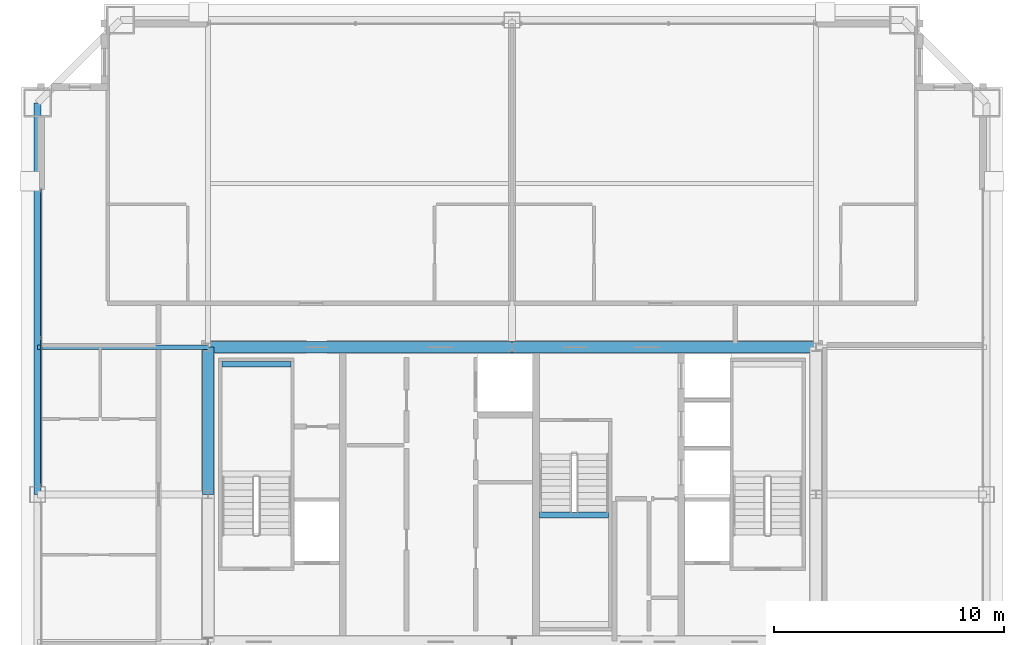
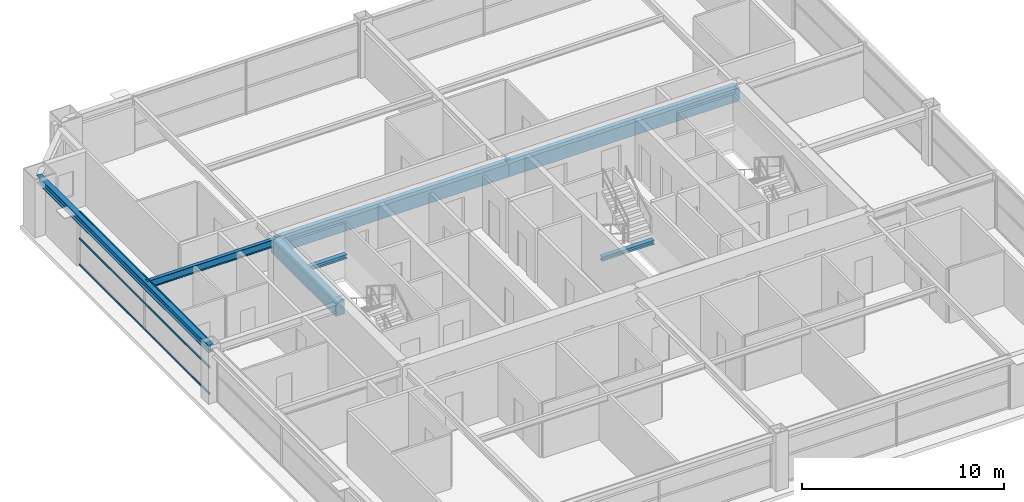
# One storey, part 15 of 37: 7 beams, 3 members, 1 element without a shape of its own.
"""IFC4 building model written with IfcOpenShell, lengths in metres."""

from ifc_helpers import new_model, si_unit, direction, frame, origin, origin_2d, place, context, subcontext, project, spatial, rectangle, hollow_rectangle, i_section, extrude, source, transform, mapped, material, layer, layer_set, material_profile, profile_set, type_object, element, aggregate, save


model = new_model("IFC4")

# Units and contexts
model_context = context("Model", 3, precision=1e-05, world=origin(), true_north=direction((0.0, 1.0)))
body_context = subcontext(model_context, "Body", "Model", "MODEL_VIEW")
ifc_project = project(units=[si_unit("LENGTHUNIT", "METRE"), si_unit("AREAUNIT", "SQUARE_METRE"), si_unit("VOLUMEUNIT", "CUBIC_METRE"), si_unit("PLANEANGLEUNIT", "RADIAN"), si_unit("MASSUNIT", "GRAM", prefix="KILO"), si_unit("THERMODYNAMICTEMPERATUREUNIT", "KELVIN"), si_unit("POWERUNIT", "WATT")], contexts=[model_context])

# Site, building, storey
site_placement = place(None, origin())
site = spatial("IfcSite", under=ifc_project, at=site_placement, CompositionType="ELEMENT")
building_placement = place(site_placement, origin())
building = spatial("IfcBuilding", under=site, at=building_placement, Name="Yuzanri Waterfront Tower", CompositionType="ELEMENT")
storey_placement = place(building_placement, frame((0.0, 0.0, 275.10009765625)))
storey = spatial("IfcBuildingStorey", under=building, at=storey_placement, Name="L73", CompositionType="ELEMENT", Elevation=275.10009765625)

# Beams
ifc_material_1 = material(Name="Concrete C50", Category="concrete")
ifc_material_profile_1 = material_profile(ifc_material_1, rectangle(XDim=0.5, YDim=0.800048828125, at=origin_2d()), Name="RC 500x800")
ifc_profile_set_1 = profile_set([ifc_material_profile_1], Name="Concrete C50")
beam_type_1 = type_object("IfcBeamType", Name="Core Coupling Lintel Concrete C50 500x800", PredefinedType="LINTEL", material=ifc_profile_set_1)
shared_shape_1 = source(origin(), body_context, "Body", "SweptSolid", [
    extrude(rectangle(XDim=0.5, YDim=0.800048828125, at=origin_2d()), origin(), (0.0, 0.0, 1.0), 13.199951171875),
])
for number, where, z_axis, x_axis, name in (
    (1, (23.800048828125, 32.199951171875, 2.8798828125), (1.0, 0.0, 0.0), (0.0, 1.0, 0.0), "L73 Core Tie Beam CN1"),
    (2, (37.0, 32.199951171875, 2.8798828125), (1.0, 0.0, 0.0), (0.0, 1.0, 0.0), "L73 Core Tie Beam CN2"),
):
    element("IfcBeam", number, at=place(storey_placement, frame(where, z_axis=z_axis, x_axis=x_axis)), inside=storey, type_object=beam_type_1, Name=name, PredefinedType="LINTEL", context=body_context, shape_type="MappedRepresentation", body=[
        mapped(shared_shape_1, transform((0.0, 0.0, 0.0), scale=1.0)),
    ])
shared_shape_2 = source(origin(), body_context, "Body", "SweptSolid", [
    extrude(rectangle(XDim=0.5, YDim=0.800048828125, at=origin_2d()), origin(), (0.0, 0.0, 1.0), 6.39990234375),
])
beam_1_placement = place(storey_placement, frame((23.800048828125, 25.800048828125, 2.8798828125), z_axis=(0.0, 1.0, 0.0), x_axis=(-1.0, 0.0, 0.0)))
element("IfcBeam", 3, at=beam_1_placement, inside=storey, type_object=beam_type_1, Name="L73 Core Tie Beam CW2", PredefinedType="LINTEL", context=body_context, shape_type="MappedRepresentation", body=[
    mapped(shared_shape_2, transform((0.0, 0.0, 0.0), scale=1.0)),
])
ifc_material_2 = material(Name="Steel Q355B", Category="steel")
ifc_material_profile_2 = material_profile(ifc_material_2, i_section(OverallWidth=0.300048828125, OverallDepth=0.43994140625, WebThickness=0.010986328125, FlangeThickness=0.01806640625, at=origin_2d()), Name="HM 440x300x11x18")
ifc_profile_set_2 = profile_set([ifc_material_profile_2], Name="Steel Q355B")
beam_type_2 = type_object("IfcBeamType", Name="Perimeter Spandrel Q355B HM 440x300", PredefinedType="SPANDREL", material=ifc_profile_set_2)
shared_shape_3 = source(origin(), body_context, "Body", "SweptSolid", [
    extrude(i_section(OverallWidth=0.300048828125, OverallDepth=0.43994140625, WebThickness=0.010986328125, FlangeThickness=0.01806640625, at=origin_2d()), origin(), (0.0, 0.0, 1.0), 17.0),
])
beam_2_placement = place(storey_placement, frame((16.39990234375, 42.800048828125, 3.059814453125), z_axis=(0.0, -1.0, 0.0), x_axis=(1.0, 0.0, 0.0)))
element("IfcBeam", 4, at=beam_2_placement, inside=storey, type_object=beam_type_2, Name="L73 Perimeter Spandrel W3-W2", PredefinedType="SPANDREL", context=body_context, shape_type="MappedRepresentation", body=[
    mapped(shared_shape_3, transform((0.0, 0.0, 0.0), scale=1.0)),
])
ifc_material_3 = material(Name="Steel Q355B", Category="steel")
ifc_material_profile_3 = material_profile(ifc_material_3, i_section(OverallWidth=0.199951171875, OverallDepth=0.449951171875, WebThickness=0.009033203125, FlangeThickness=0.013916015625, at=origin_2d()), Name="HN 450x200x9x14")
ifc_profile_set_3 = profile_set([ifc_material_profile_3], Name="Steel Q355B")
beam_type_3 = type_object("IfcBeamType", Name="Secondary Floor Beam Q355B HN 450x200", PredefinedType="BEAM", material=ifc_profile_set_3)
shared_shape_4 = source(origin(), body_context, "Body", "SweptSolid", [
    extrude(i_section(OverallWidth=0.199951171875, OverallDepth=0.449951171875, WebThickness=0.009033203125, FlangeThickness=0.013916015625, at=origin_2d()), origin(), (0.0, 0.0, 1.0), 7.400146484375),
])
beam_3_placement = place(storey_placement, frame((23.800048828125, 32.199951171875, 3.054931640625), z_axis=(-1.0, 0.0, 0.0), x_axis=(0.0, -1.0, 0.0)))
element("IfcBeam", 5, at=beam_3_placement, inside=storey, type_object=beam_type_3, Name="L73 West-North Core Line Beam", PredefinedType="BEAM", context=body_context, shape_type="MappedRepresentation", body=[
    mapped(shared_shape_4, transform((0.0, 0.0, 0.0), scale=1.0)),
])

# Curtain wall, members
ifc_material_4 = material(Name="Anodized Architectural Bronze", Category="metal")
ifc_layer = layer(ifc_material_4, 0.159912109375)
ifc_layer_set = layer_set([ifc_layer], Name="Anodized Architectural Bronze")
curtain_wall_type = type_object("IfcCurtainWallType", Name="Anodized Bronze Mid-Rise Residential Acoustic Unitized Curtain Wall 7200", PredefinedType="NOTDEFINED", material=ifc_layer_set)
curtain_wall_placement = place(storey_placement, origin())
curtain_wall = element("IfcCurtainWall", 6, at=curtain_wall_placement, inside=storey, type_object=curtain_wall_type, Name="L73 Curtain Wall CW-L73-WR", PredefinedType="NOTDEFINED")
ifc_material_5 = material(Name="Anodized Architectural Bronze", Category="metal")
ifc_material_profile_4 = material_profile(ifc_material_5, hollow_rectangle(XDim=0.06494140625, YDim=0.1201171875, WallThickness=0.00341796875, at=origin_2d()), Name="CWT 65x120")
ifc_profile_set_4 = profile_set([ifc_material_profile_4], Name="Anodized Architectural Bronze")
member_type = type_object("IfcMemberType", Name="Anodized Bronze Secondary Curtain-Wall Transom 65x120", PredefinedType="USERDEFINED", material=ifc_profile_set_4)
shared_shape_5 = source(origin(), body_context, "Body", "SweptSolid", [
    extrude(hollow_rectangle(XDim=0.06494140625, YDim=0.1201171875, WallThickness=0.00341796875, at=origin_2d()), origin(), (0.0, 0.0, 1.0), 12.900146484375),
])
member_1_placement = place(storey_placement, frame((16.550048828125, 26.14990234375, 0.0498046875), z_axis=(0.0, 1.0, 0.0), x_axis=(-1.0, 0.0, 0.0)))
member_1 = element("IfcMember", 7, at=member_1_placement, type_object=member_type, Name="CW-L73-WR Transom 1", ObjectType="TRANSOM", PredefinedType="USERDEFINED", context=body_context, shape_type="MappedRepresentation", body=[
    mapped(shared_shape_5, transform((0.0, 0.0, 0.0), scale=1.0)),
])
member_2_placement = place(storey_placement, frame((16.550048828125, 26.14990234375, 1.639892578125), z_axis=(0.0, 1.0, 0.0), x_axis=(-1.0, 0.0, 0.0)))
member_2 = element("IfcMember", 8, at=member_2_placement, type_object=member_type, Name="CW-L73-WR Transom 2", ObjectType="TRANSOM", PredefinedType="USERDEFINED", context=body_context, shape_type="MappedRepresentation", body=[
    mapped(shared_shape_5, transform((0.0, 0.0, 0.0), scale=1.0)),
])
member_3_placement = place(storey_placement, frame((16.550048828125, 26.14990234375, 3.22998046875), z_axis=(0.0, 1.0, 0.0), x_axis=(-1.0, 0.0, 0.0)))
member_3 = element("IfcMember", 9, at=member_3_placement, type_object=member_type, Name="CW-L73-WR Transom 3", ObjectType="TRANSOM", PredefinedType="USERDEFINED", context=body_context, shape_type="MappedRepresentation", body=[
    mapped(shared_shape_5, transform((0.0, 0.0, 0.0), scale=1.0)),
])
aggregate(curtain_wall, [member_1, member_2, member_3])

# Beams
ifc_material_6 = material(Name="Steel Q355B", Category="steel")
ifc_material_profile_5 = material_profile(ifc_material_6, i_section(OverallWidth=0.25, OverallDepth=0.25, WebThickness=0.009033203125, FlangeThickness=0.013916015625, at=origin_2d()), Name="HW 250x250x9x14")
ifc_profile_set_5 = profile_set([ifc_material_profile_5], Name="Steel Q355B")
beam_type_4 = type_object("IfcBeamType", Name="Stair Landing Support Beam Q355B HW 250x250", PredefinedType="BEAM", material=ifc_profile_set_5)
shared_shape_6 = source(origin(), body_context, "Body", "SweptSolid", [
    extrude(i_section(OverallWidth=0.25, OverallDepth=0.25, WebThickness=0.009033203125, FlangeThickness=0.013916015625, at=origin_2d()), origin(), (0.0, 0.0, 1.0), 3.0),
])
for number, where, z_axis, x_axis, name in (
    (10, (24.39990234375, 31.449951171875, 1.4248046875), (1.0, 0.0, 0.0), (0.0, 1.0, 0.0), "L73 Stair Landing Support Beam ST-01-L73-L1-2"),
    (11, (38.199951171875, 24.909912109375, 1.4248046875), (1.0, 0.0, 0.0), (0.0, 1.0, 0.0), "L73 Stair Landing Support Beam ST-03-L73-L1-2"),
):
    element("IfcBeam", number, at=place(storey_placement, frame(where, z_axis=z_axis, x_axis=x_axis)), inside=storey, type_object=beam_type_4, Name=name, PredefinedType="BEAM", context=body_context, shape_type="MappedRepresentation", body=[
        mapped(shared_shape_6, transform((0.0, 0.0, 0.0), scale=1.0)),
    ])

save(model, "model.ifc")
